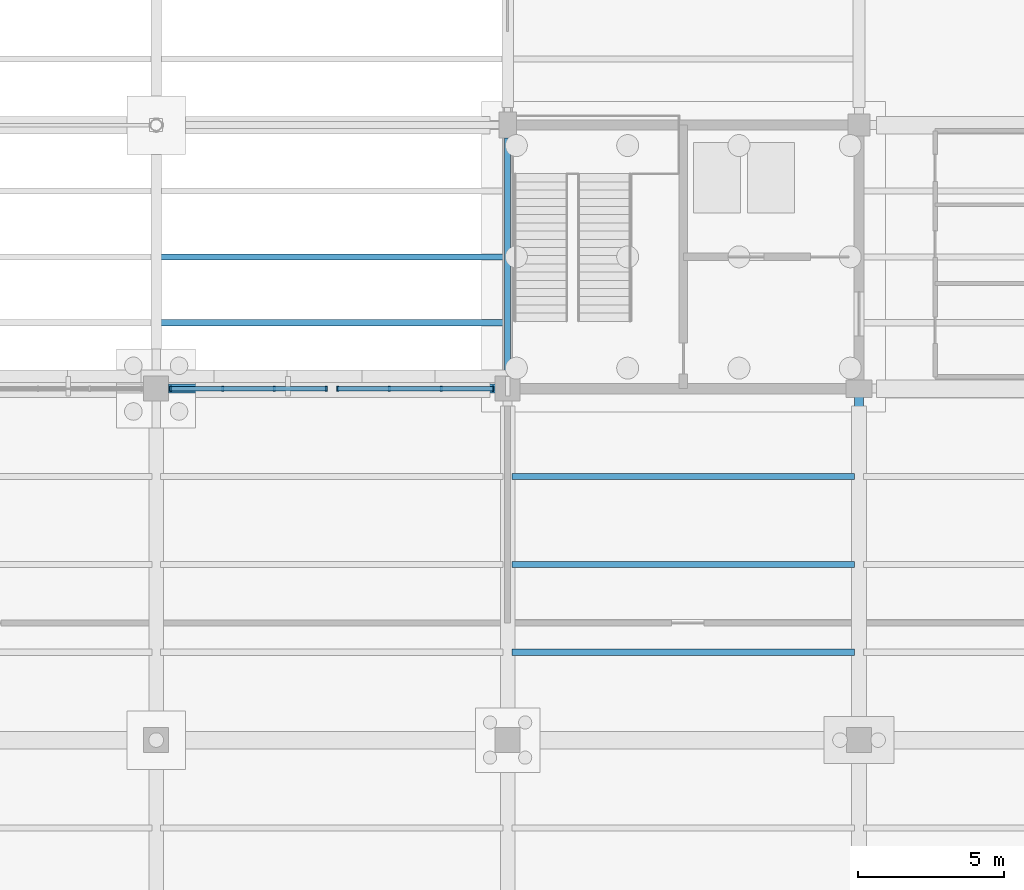
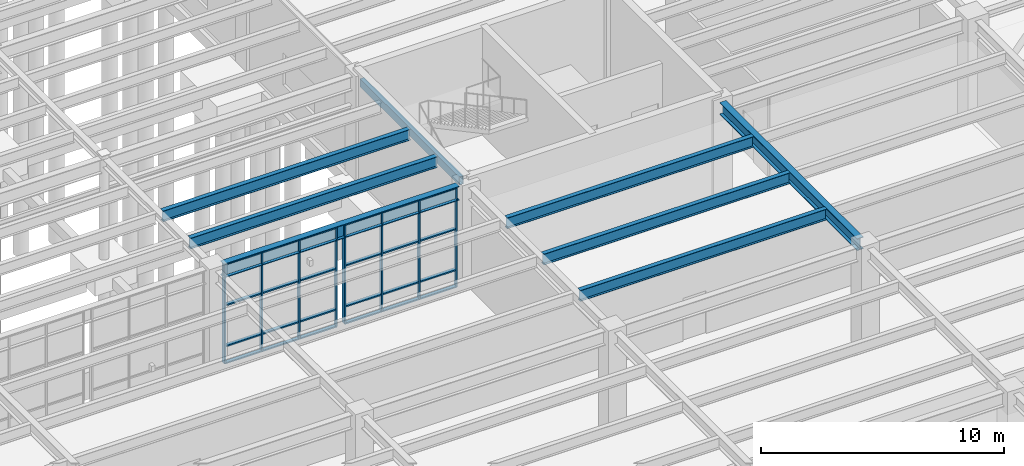
# One storey, part 39 of 85: 16 members, 8 beams, 2 elements without a shape of their own.
"""IFC4 building model written with IfcOpenShell, lengths in metres."""

from ifc_helpers import new_model, si_unit, direction, frame, origin, origin_2d, place, context, subcontext, project, spatial, rectangle, hollow_rectangle, i_section, extrude, material, layer, layer_set, material_profile, profile_set, type_object, element, aggregate, save


model = new_model("IFC4")

# Units and contexts
model_context = context("Model", 3, precision=1e-05, world=origin(), true_north=direction((0.0, 1.0)))
body_context = subcontext(model_context, "Body", "Model", "MODEL_VIEW")
ifc_project = project(units=[si_unit("LENGTHUNIT", "METRE"), si_unit("AREAUNIT", "SQUARE_METRE"), si_unit("VOLUMEUNIT", "CUBIC_METRE"), si_unit("PLANEANGLEUNIT", "RADIAN"), si_unit("MASSUNIT", "GRAM", prefix="KILO")], contexts=[model_context])

# Site, building, storey
site_placement = place(None, origin())
site = spatial("IfcSite", under=ifc_project, at=site_placement, CompositionType="ELEMENT")
building_placement = place(site_placement, origin())
building = spatial("IfcBuilding", under=site, at=building_placement, Name="Keelwater Ferry Terminal", CompositionType="ELEMENT")
storey_placement = place(building_placement, origin())
storey = spatial("IfcBuildingStorey", under=building, at=storey_placement, Name="L00", CompositionType="ELEMENT", Elevation=0.0)

# Curtain wall, members
ifc_material_1 = material(Name="Thermally broken unitised aluminium and triple glass", Category="aluminium")
ifc_layer = layer(ifc_material_1, 0.179931640625)
ifc_layer_set = layer_set([ifc_layer], Name="Thermally broken unitised aluminium and triple glass")
curtain_wall_type = type_object("IfcCurtainWallType", Name="CW-05 Unitised Curtain Wall 5305x4950", PredefinedType="USERDEFINED", material=ifc_layer_set)
curtain_wall_1_placement = place(storey_placement, origin())
curtain_wall_1 = element("IfcCurtainWall", 1, at=curtain_wall_1_placement, inside=storey, type_object=curtain_wall_type, Name="Unitised Curtain Wall CW-L00-029", ObjectType="UNITISED CURTAIN WALL", PredefinedType="USERDEFINED")
ifc_material_2 = material(Name="Aluminium mullion", Category="aluminium")
ifc_material_profile_1 = material_profile(ifc_material_2, rectangle(XDim=0.06494140625, YDim=0.179931640625, at=origin_2d()), Name="CWM-01")
ifc_profile_set_1 = profile_set([ifc_material_profile_1], Name="Aluminium mullion")
member_type_1 = type_object("IfcMemberType", Name="CWM-01 Curtain Mullion 65x180", PredefinedType="MULLION", material=ifc_profile_set_1)
member_1_placement = place(storey_placement, frame((96.5, 90.0, 0.0), z_axis=(0.0, 0.0, 1.0), x_axis=(1.0, 0.0, 0.0)))
member_1 = element("IfcMember", 2, at=member_1_placement, type_object=member_type_1, Name="CW-L00-029 Mullion 1", PredefinedType="MULLION", context=body_context, shape_type="SweptSolid", body=[
    extrude(rectangle(XDim=0.06494140625, YDim=0.179931640625, at=origin_2d()), origin(), (0.0, 0.0, 1.0), 4.949951171875),
])
member_2_placement = place(storey_placement, frame((98.268310546875, 90.0, 0.0), z_axis=(0.0, 0.0, 1.0), x_axis=(1.0, 0.0, 0.0)))
member_2 = element("IfcMember", 3, at=member_2_placement, type_object=member_type_1, Name="CW-L00-029 Mullion 2", PredefinedType="MULLION", context=body_context, shape_type="SweptSolid", body=[
    extrude(rectangle(XDim=0.06494140625, YDim=0.179931640625, at=origin_2d()), origin(), (0.0, 0.0, 1.0), 4.949951171875),
])
member_3_placement = place(storey_placement, frame((100.03662109375, 90.0, 0.0), z_axis=(0.0, 0.0, 1.0), x_axis=(1.0, 0.0, 0.0)))
member_3 = element("IfcMember", 4, at=member_3_placement, type_object=member_type_1, Name="CW-L00-029 Mullion 3", PredefinedType="MULLION", context=body_context, shape_type="SweptSolid", body=[
    extrude(rectangle(XDim=0.06494140625, YDim=0.179931640625, at=origin_2d()), origin(), (0.0, 0.0, 1.0), 4.949951171875),
])
member_4_placement = place(storey_placement, frame((101.804931640625, 90.0, 0.0), z_axis=(0.0, 0.0, 1.0), x_axis=(1.0, 0.0, 0.0)))
member_4 = element("IfcMember", 5, at=member_4_placement, type_object=member_type_1, Name="CW-L00-029 Mullion 4", PredefinedType="MULLION", context=body_context, shape_type="SweptSolid", body=[
    extrude(rectangle(XDim=0.06494140625, YDim=0.179931640625, at=origin_2d()), origin(), (0.0, 0.0, 1.0), 4.949951171875),
])

curtain_wall_2_placement = place(storey_placement, origin())
curtain_wall_2 = element("IfcCurtainWall", 6, at=curtain_wall_2_placement, inside=storey, type_object=curtain_wall_type, Name="Unitised Curtain Wall CW-L00-030", ObjectType="UNITISED CURTAIN WALL", PredefinedType="USERDEFINED")
member_5_placement = place(storey_placement, frame((102.195068359375, 90.0, 0.0), z_axis=(0.0, 0.0, 1.0), x_axis=(1.0, 0.0, 0.0)))
member_5 = element("IfcMember", 7, at=member_5_placement, type_object=member_type_1, Name="CW-L00-030 Mullion 1", PredefinedType="MULLION", context=body_context, shape_type="SweptSolid", body=[
    extrude(rectangle(XDim=0.06494140625, YDim=0.179931640625, at=origin_2d()), origin(), (0.0, 0.0, 1.0), 4.949951171875),
])
member_6_placement = place(storey_placement, frame((103.96337890625, 90.0, 0.0), z_axis=(0.0, 0.0, 1.0), x_axis=(1.0, 0.0, 0.0)))
member_6 = element("IfcMember", 8, at=member_6_placement, type_object=member_type_1, Name="CW-L00-030 Mullion 2", PredefinedType="MULLION", context=body_context, shape_type="SweptSolid", body=[
    extrude(rectangle(XDim=0.06494140625, YDim=0.179931640625, at=origin_2d()), origin(), (0.0, 0.0, 1.0), 4.949951171875),
])
member_7_placement = place(storey_placement, frame((105.731689453125, 90.0, 0.0), z_axis=(0.0, 0.0, 1.0), x_axis=(1.0, 0.0, 0.0)))
member_7 = element("IfcMember", 9, at=member_7_placement, type_object=member_type_1, Name="CW-L00-030 Mullion 3", PredefinedType="MULLION", context=body_context, shape_type="SweptSolid", body=[
    extrude(rectangle(XDim=0.06494140625, YDim=0.179931640625, at=origin_2d()), origin(), (0.0, 0.0, 1.0), 4.949951171875),
])
member_8_placement = place(storey_placement, frame((107.5, 90.0, 0.0), z_axis=(0.0, 0.0, 1.0), x_axis=(1.0, 0.0, 0.0)))
member_8 = element("IfcMember", 10, at=member_8_placement, type_object=member_type_1, Name="CW-L00-030 Mullion 4", PredefinedType="MULLION", context=body_context, shape_type="SweptSolid", body=[
    extrude(rectangle(XDim=0.06494140625, YDim=0.179931640625, at=origin_2d()), origin(), (0.0, 0.0, 1.0), 4.949951171875),
])

# Member
ifc_material_3 = material(Name="Aluminium mullion", Category="aluminium")
ifc_material_profile_2 = material_profile(ifc_material_3, rectangle(XDim=0.159912109375, YDim=0.06494140625, at=origin_2d()), Name="CWT-01")
ifc_profile_set_2 = profile_set([ifc_material_profile_2], Name="Aluminium mullion")
member_type_2 = type_object("IfcMemberType", Name="CWT-01 Curtain Transom 65x160", PredefinedType="USERDEFINED", material=ifc_profile_set_2)
member_9_placement = place(storey_placement, frame((96.5, 90.0, 0.0), z_axis=(1.0, 0.0, 0.0), x_axis=(0.0, 1.0, 0.0)))
member_9 = element("IfcMember", 11, at=member_9_placement, type_object=member_type_2, Name="CW-L00-029 Transom 1", ObjectType="TRANSOM", PredefinedType="USERDEFINED", context=body_context, shape_type="SweptSolid", body=[
    extrude(rectangle(XDim=0.159912109375, YDim=0.06494140625, at=origin_2d()), origin(), (0.0, 0.0, 1.0), 5.304931640625),
])

member_10_placement = place(storey_placement, frame((96.5, 90.0, 0.85009765625), z_axis=(1.0, 0.0, 0.0), x_axis=(0.0, 1.0, 0.0)))
member_10 = element("IfcMember", 12, at=member_10_placement, type_object=member_type_2, Name="CW-L00-029 Transom 2", ObjectType="TRANSOM", PredefinedType="USERDEFINED", context=body_context, shape_type="SweptSolid", body=[
    extrude(rectangle(XDim=0.159912109375, YDim=0.06494140625, at=origin_2d()), origin(), (0.0, 0.0, 1.0), 5.304931640625),
])

member_11_placement = place(storey_placement, frame((96.5, 90.0, 2.89990234375), z_axis=(1.0, 0.0, 0.0), x_axis=(0.0, 1.0, 0.0)))
member_11 = element("IfcMember", 13, at=member_11_placement, type_object=member_type_2, Name="CW-L00-029 Transom 3", ObjectType="TRANSOM", PredefinedType="USERDEFINED", context=body_context, shape_type="SweptSolid", body=[
    extrude(rectangle(XDim=0.159912109375, YDim=0.06494140625, at=origin_2d()), origin(), (0.0, 0.0, 1.0), 5.304931640625),
])

member_12_placement = place(storey_placement, frame((96.5, 90.0, 4.949951171875), z_axis=(1.0, 0.0, 0.0), x_axis=(0.0, 1.0, 0.0)))
member_12 = element("IfcMember", 14, at=member_12_placement, type_object=member_type_2, Name="CW-L00-029 Transom 4", ObjectType="TRANSOM", PredefinedType="USERDEFINED", context=body_context, shape_type="SweptSolid", body=[
    extrude(rectangle(XDim=0.159912109375, YDim=0.06494140625, at=origin_2d()), origin(), (0.0, 0.0, 1.0), 5.304931640625),
])

aggregate(curtain_wall_1, [member_1, member_2, member_3, member_4, member_9, member_10, member_11, member_12])

member_13_placement = place(storey_placement, frame((102.195068359375, 90.0, 0.0), z_axis=(1.0, 0.0, 0.0), x_axis=(0.0, 1.0, 0.0)))
member_13 = element("IfcMember", 15, at=member_13_placement, type_object=member_type_2, Name="CW-L00-030 Transom 1", ObjectType="TRANSOM", PredefinedType="USERDEFINED", context=body_context, shape_type="SweptSolid", body=[
    extrude(rectangle(XDim=0.159912109375, YDim=0.06494140625, at=origin_2d()), origin(), (0.0, 0.0, 1.0), 5.304931640625),
])

member_14_placement = place(storey_placement, frame((102.195068359375, 90.0, 0.85009765625), z_axis=(1.0, 0.0, 0.0), x_axis=(0.0, 1.0, 0.0)))
member_14 = element("IfcMember", 16, at=member_14_placement, type_object=member_type_2, Name="CW-L00-030 Transom 2", ObjectType="TRANSOM", PredefinedType="USERDEFINED", context=body_context, shape_type="SweptSolid", body=[
    extrude(rectangle(XDim=0.159912109375, YDim=0.06494140625, at=origin_2d()), origin(), (0.0, 0.0, 1.0), 5.304931640625),
])

member_15_placement = place(storey_placement, frame((102.195068359375, 90.0, 2.89990234375), z_axis=(1.0, 0.0, 0.0), x_axis=(0.0, 1.0, 0.0)))
member_15 = element("IfcMember", 17, at=member_15_placement, type_object=member_type_2, Name="CW-L00-030 Transom 3", ObjectType="TRANSOM", PredefinedType="USERDEFINED", context=body_context, shape_type="SweptSolid", body=[
    extrude(rectangle(XDim=0.159912109375, YDim=0.06494140625, at=origin_2d()), origin(), (0.0, 0.0, 1.0), 5.304931640625),
])

member_16_placement = place(storey_placement, frame((102.195068359375, 90.0, 4.949951171875), z_axis=(1.0, 0.0, 0.0), x_axis=(0.0, 1.0, 0.0)))
member_16 = element("IfcMember", 18, at=member_16_placement, type_object=member_type_2, Name="CW-L00-030 Transom 4", ObjectType="TRANSOM", PredefinedType="USERDEFINED", context=body_context, shape_type="SweptSolid", body=[
    extrude(rectangle(XDim=0.159912109375, YDim=0.06494140625, at=origin_2d()), origin(), (0.0, 0.0, 1.0), 5.304931640625),
])

aggregate(curtain_wall_2, [member_5, member_6, member_7, member_8, member_13, member_14, member_15, member_16])

# Beams
ifc_material_4 = material(Name="Steel S355", Category="steel")
ifc_material_profile_3 = material_profile(ifc_material_4, i_section(OverallWidth=0.300048828125, OverallDepth=0.699951171875, WebThickness=0.01708984375, FlangeThickness=0.031982421875, at=origin_2d()), Name="HEB 700")
ifc_profile_set_3 = profile_set([ifc_material_profile_3], Name="Steel S355")
beam_type_1 = type_object("IfcBeamType", Name="G2E HEB 700", PredefinedType="BEAM", material=ifc_profile_set_3)
beam_1_placement = place(storey_placement, frame((96.416015625, 90.0, 4.7099609375), z_axis=(1.0, 0.0, 0.0), x_axis=(0.0, 1.0, 0.0)))
element("IfcBeam", 19, at=beam_1_placement, inside=storey, type_object=beam_type_1, Name="Beam BM-L00-0092", PredefinedType="BEAM", context=body_context, shape_type="SweptSolid", body=[
    extrude(i_section(OverallWidth=0.300048828125, OverallDepth=0.699951171875, WebThickness=0.01708984375, FlangeThickness=0.031982421875, at=origin_2d()), origin(), (0.0, 0.0, 1.0), 11.16796875),
])
ifc_material_5 = material(Name="Steel S355", Category="steel")
ifc_material_profile_4 = material_profile(ifc_material_5, i_section(OverallWidth=0.300048828125, OverallDepth=0.60009765625, WebThickness=0.015380859375, FlangeThickness=0.030029296875, at=origin_2d()), Name="HEB 600")
ifc_profile_set_4 = profile_set([ifc_material_profile_4], Name="Steel S355")
beam_type_2 = type_object("IfcBeamType", Name="G3 HEB 600", PredefinedType="BEAM", material=ifc_profile_set_4)
beam_2_placement = place(storey_placement, frame((120.0, 78.416015625, 4.760009765625), z_axis=(0.0, 1.0, 0.0), x_axis=(-1.0, 0.0, 0.0)))
element("IfcBeam", 20, at=beam_2_placement, inside=storey, type_object=beam_type_2, Name="Beam BM-L00-0239", PredefinedType="BEAM", context=body_context, shape_type="SweptSolid", body=[
    extrude(i_section(OverallWidth=0.300048828125, OverallDepth=0.60009765625, WebThickness=0.015380859375, FlangeThickness=0.030029296875, at=origin_2d()), origin(), (0.0, 0.0, 1.0), 11.2900390625),
])
ifc_material_6 = material(Name="Steel S355", Category="steel")
ifc_material_profile_5 = material_profile(ifc_material_6, i_section(OverallWidth=0.2099609375, OverallDepth=0.550048828125, WebThickness=0.010986328125, FlangeThickness=0.01708984375, at=origin_2d()), Name="IPE 550")
ifc_profile_set_5 = profile_set([ifc_material_profile_5], Name="Steel S355")
beam_type_3 = type_object("IfcBeamType", Name="J2 IPE 550", PredefinedType="JOIST", material=ifc_profile_set_5)
for number, where, z_axis, x_axis, name in (
    (21, (96.14990234375, 92.25, 4.784912109375), (1.0, 0.0, 0.0), (0.0, 1.0, 0.0), "Beam BM-L00-0450"),
    (22, (96.14990234375, 94.5, 4.784912109375), (1.0, 0.0, 0.0), (0.0, 1.0, 0.0), "Beam BM-L00-0451"),
):
    element("IfcBeam", number, at=place(storey_placement, frame(where, z_axis=z_axis, x_axis=x_axis)), inside=storey, type_object=beam_type_3, Name=name, PredefinedType="JOIST", context=body_context, shape_type="SweptSolid", body=[
        extrude(i_section(OverallWidth=0.2099609375, OverallDepth=0.550048828125, WebThickness=0.010986328125, FlangeThickness=0.01708984375, at=origin_2d()), origin(), (0.0, 0.0, 1.0), 11.75),
    ])
for number, where, z_axis, x_axis, name in (
    (23, (108.14990234375, 81.0, 4.784912109375), (1.0, 0.0, 0.0), (0.0, 1.0, 0.0), "Beam BM-L00-0471"),
    (24, (108.14990234375, 84.0, 4.784912109375), (1.0, 0.0, 0.0), (0.0, 1.0, 0.0), "Beam BM-L00-0472"),
    (25, (108.14990234375, 87.0, 4.784912109375), (1.0, 0.0, 0.0), (0.0, 1.0, 0.0), "Beam BM-L00-0473"),
):
    element("IfcBeam", number, at=place(storey_placement, frame(where, z_axis=z_axis, x_axis=x_axis)), inside=storey, type_object=beam_type_3, Name=name, PredefinedType="JOIST", context=body_context, shape_type="SweptSolid", body=[
        extrude(i_section(OverallWidth=0.2099609375, OverallDepth=0.550048828125, WebThickness=0.010986328125, FlangeThickness=0.01708984375, at=origin_2d()), origin(), (0.0, 0.0, 1.0), 11.7001953125),
    ])
ifc_material_7 = material(Name="Steel S355", Category="steel")
ifc_material_profile_6 = material_profile(ifc_material_7, hollow_rectangle(XDim=0.199951171875, YDim=0.39990234375, WallThickness=0.01611328125, at=origin_2d()), Name="RHS 400x200x16")
ifc_profile_set_6 = profile_set([ifc_material_profile_6], Name="Steel S355")
beam_type_4 = type_object("IfcBeamType", Name="SP3E RHS 400x200x16", PredefinedType="SPANDREL", material=ifc_profile_set_6)
beam_3_placement = place(storey_placement, frame((108.0, 90.416015625, 4.860107421875), z_axis=(0.0, 1.0, 0.0), x_axis=(-1.0, 0.0, 0.0)))
element("IfcBeam", 26, at=beam_3_placement, inside=storey, type_object=beam_type_4, Name="Beam BM-L00-0232", PredefinedType="SPANDREL", context=body_context, shape_type="SweptSolid", body=[
    extrude(hollow_rectangle(XDim=0.199951171875, YDim=0.39990234375, WallThickness=0.01611328125, at=origin_2d()), origin(), (0.0, 0.0, 1.0), 8.14306640625),
])

save(model, "model.ifc")
